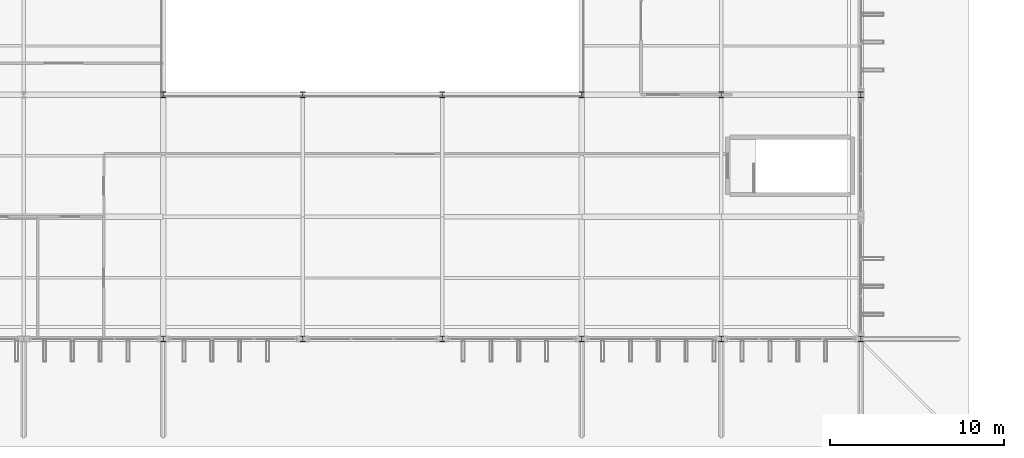
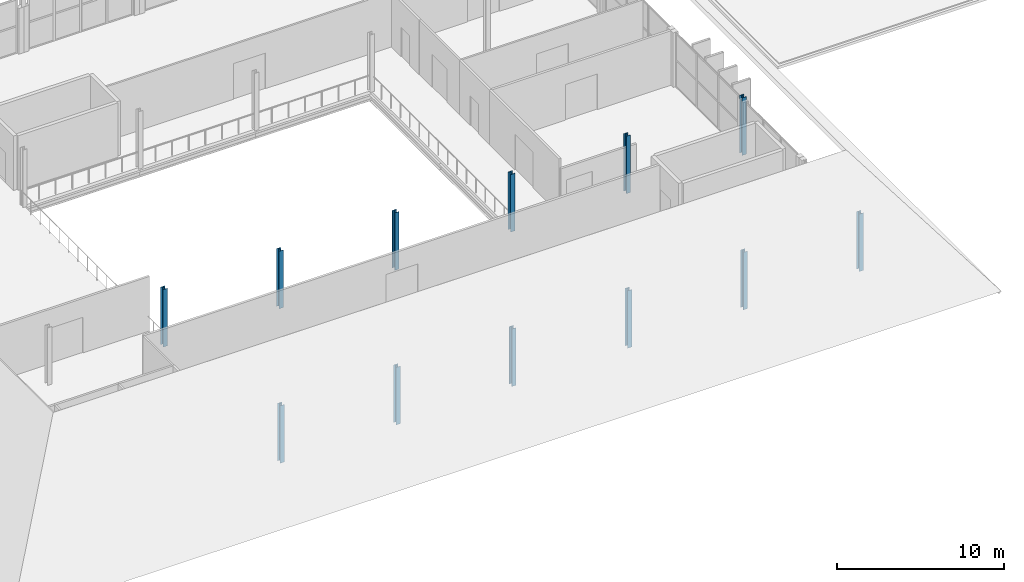
# One storey, part 7 of 93: 12 columns.
"""IFC4 building model written with IfcOpenShell, lengths in metres."""

from ifc_helpers import new_model, si_unit, direction, frame, origin, origin_2d, place, context, subcontext, project, spatial, i_section, extrude, material, material_profile, profile_set, type_object, element, save


model = new_model("IFC4")

# Units and contexts
model_context = context("Model", 3, precision=1e-05, world=origin(), true_north=direction((0.0, 1.0)))
body_context = subcontext(model_context, "Body", "Model", "MODEL_VIEW")
ifc_project = project(units=[si_unit("LENGTHUNIT", "METRE"), si_unit("AREAUNIT", "SQUARE_METRE"), si_unit("VOLUMEUNIT", "CUBIC_METRE"), si_unit("PLANEANGLEUNIT", "RADIAN"), si_unit("MASSUNIT", "GRAM", prefix="KILO")], contexts=[model_context])

# Site, building, storey
site_placement = place(None, origin())
site = spatial("IfcSite", under=ifc_project, at=site_placement, CompositionType="ELEMENT")
building_placement = place(site_placement, origin())
building = spatial("IfcBuilding", under=site, at=building_placement, Name="Vekula Escarpment Museum", CompositionType="ELEMENT")
storey_placement = place(building_placement, frame((0.0, 0.0, 22.199951171875)))
storey = spatial("IfcBuildingStorey", under=building, at=storey_placement, Name="L05", CompositionType="ELEMENT", Elevation=22.199951171875)

# Columns
ifc_material = material(Name="Steel S355", Category="steel")
ifc_material_profile = material_profile(ifc_material, i_section(OverallWidth=0.300048828125, OverallDepth=0.320068359375, WebThickness=0.011474609375, FlangeThickness=0.0205078125, FilletRadius=0.027099609375, at=origin_2d()), Name="HEB 320")
ifc_profile_set = profile_set([ifc_material_profile], Name="Steel S355")
column_type = type_object("IfcColumnType", Name="COL-S-HEB320", PredefinedType="COLUMN", material=ifc_profile_set)
for number, where, z_axis, x_axis, name in (
    (1, (86.0, 45.60009765625, 0.0), (0.0, 0.0, 1.0), (1.0, 0.0, 0.0), "Column L05 (86.0,45.6)"),
    (2, (86.0, 59.60009765625, 0.0), (0.0, 0.0, 1.0), (1.0, 0.0, 0.0), "Column L05 (86.0,59.6)"),
    (3, (94.0, 45.60009765625, 0.0), (0.0, 0.0, 1.0), (1.0, 0.0, 0.0), "Column L05 (94.0,45.6)"),
    (4, (94.0, 59.60009765625, 0.0), (0.0, 0.0, 1.0), (1.0, 0.0, 0.0), "Column L05 (94.0,59.6)"),
    (5, (102.0, 45.60009765625, 0.0), (0.0, 0.0, 1.0), (1.0, 0.0, 0.0), "Column L05 (102.0,45.6)"),
    (6, (102.0, 59.60009765625, 0.0), (0.0, 0.0, 1.0), (1.0, 0.0, 0.0), "Column L05 (102.0,59.6)"),
    (7, (110.0, 45.60009765625, 0.0), (0.0, 0.0, 1.0), (1.0, 0.0, 0.0), "Column L05 (110.0,45.6)"),
    (8, (110.0, 59.60009765625, 0.0), (0.0, 0.0, 1.0), (1.0, 0.0, 0.0), "Column L05 (110.0,59.6)"),
    (9, (118.0, 45.60009765625, 0.0), (0.0, 0.0, 1.0), (1.0, 0.0, 0.0), "Column L05 (118.0,45.6)"),
    (10, (118.0, 59.60009765625, 0.0), (0.0, 0.0, 1.0), (1.0, 0.0, 0.0), "Column L05 (118.0,59.6)"),
    (11, (126.0, 45.60009765625, 0.0), (0.0, 0.0, 1.0), (1.0, 0.0, 0.0), "Column L05 (126.0,45.6)"),
    (12, (126.0, 59.60009765625, 0.0), (0.0, 0.0, 1.0), (1.0, 0.0, 0.0), "Column L05 (126.0,59.6)"),
):
    element("IfcColumn", number, at=place(storey_placement, frame(where, z_axis=z_axis, x_axis=x_axis)), inside=storey, type_object=column_type, Name=name, PredefinedType="COLUMN", context=body_context, shape_type="SweptSolid", body=[
        extrude(i_section(OverallWidth=0.300048828125, OverallDepth=0.320068359375, WebThickness=0.011474609375, FlangeThickness=0.0205078125, FilletRadius=0.027099609375, at=origin_2d()), origin(), (0.0, 0.0, 1.0), 4.199951171875),
    ])

save(model, "model.ifc")
